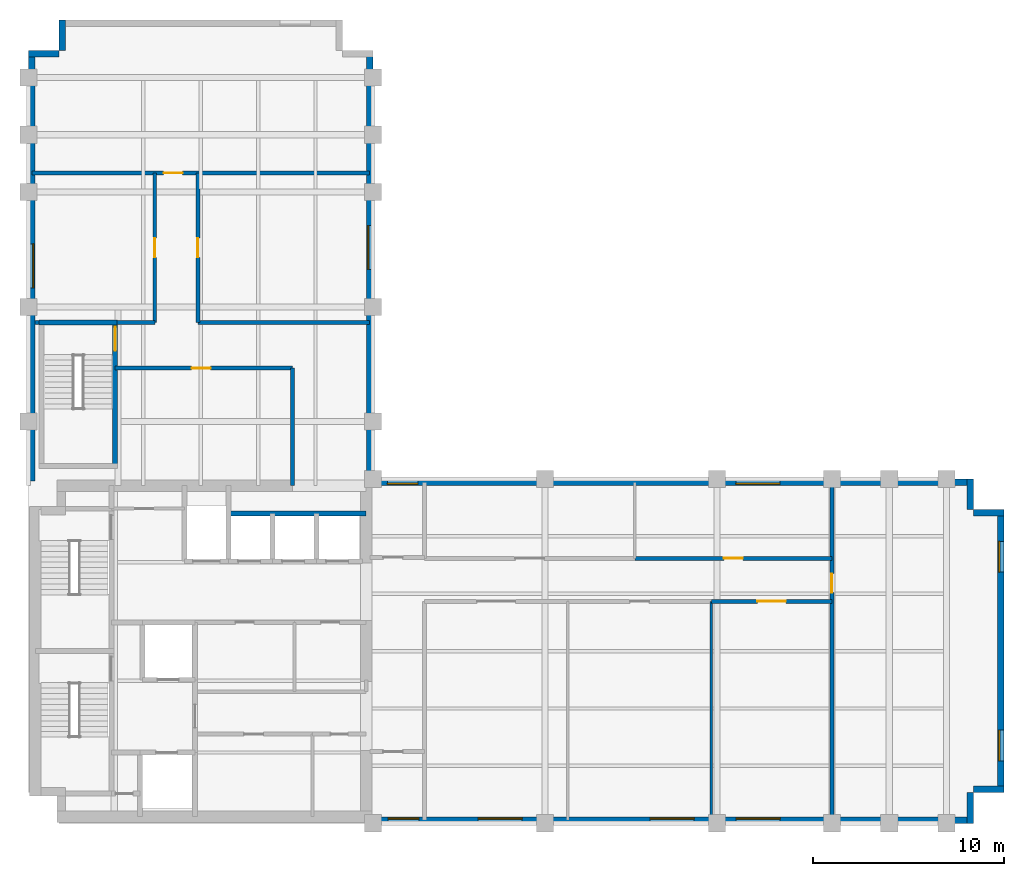
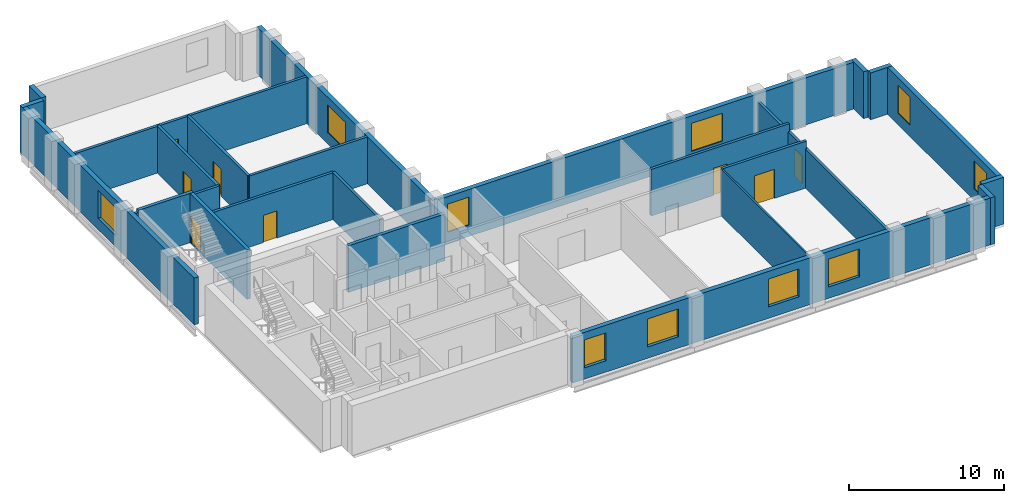
# One storey, part 4 of 6: 26 walls, 10 windows, 8 doors, 18 openings.
"""IFC4 building model written with IfcOpenShell, lengths in metres."""

from ifc_helpers import new_model, si_unit, direction, frame, frame_2d, origin, place, context, subcontext, project, spatial, rectangle, extrude, material, layer, layer_set, type_object, element, fill, save


model = new_model("IFC4")

# Units and contexts
model_context = context("Model", 3, precision=1e-05, world=origin(), true_north=direction((0.0, 1.0)))
body_context = subcontext(model_context, "Body", "Model", "MODEL_VIEW")
ifc_project = project(units=[si_unit("LENGTHUNIT", "METRE"), si_unit("AREAUNIT", "SQUARE_METRE"), si_unit("VOLUMEUNIT", "CUBIC_METRE"), si_unit("PLANEANGLEUNIT", "RADIAN"), si_unit("MASSUNIT", "GRAM", prefix="KILO")], contexts=[model_context])

# Site, building, storey
site_placement = place(None, origin())
site = spatial("IfcSite", under=ifc_project, at=site_placement, CompositionType="ELEMENT")
building_placement = place(site_placement, origin())
building = spatial("IfcBuilding", under=site, at=building_placement, Name="Mawjdan Bourse Tower", CompositionType="ELEMENT")
storey_placement = place(building_placement, frame((0.0, 0.0, 187.800048828125)))
storey = spatial("IfcBuildingStorey", under=building, at=storey_placement, Name="L45", CompositionType="ELEMENT", Elevation=187.800048828125)

# Wall, openings, windows
ifc_material_1 = material(Name="Brick Masonry Buff", Category="masonry")
ifc_layer_1 = layer(ifc_material_1, 0.340087890625)
ifc_layer_set_1 = layer_set([ifc_layer_1], Name="Brick Masonry Buff")
wall_type_1 = type_object("IfcWallType", Name="WL-BRK-SPN-340", PredefinedType="STANDARD", material=ifc_layer_set_1)
wall_1_placement = place(storey_placement, frame((23.89990234375, 3.169921875, 0.0), z_axis=(0.0, 0.0, 1.0), x_axis=(1.0, 0.0, 0.0)))
wall_1 = element("IfcWall", 1, at=wall_1_placement, inside=storey, type_object=wall_type_1, Name="L45 Exterior Brick Wall 1", PredefinedType="STANDARD", context=body_context, shape_type="SweptSolid", body=[
    extrude(rectangle(XDim=31.5, YDim=0.340087890625, at=frame_2d((15.75, 0.0))), origin(), (0.0, 0.0, 1.0), 3.699951171875),
])
opening_1_placement = place(wall_1_placement, frame((5.60009765625, 0.0, 0.89990234375)))
opening_1 = element("IfcOpeningElement", 2, at=opening_1_placement, cuts=wall_1, Name="Opening W-L45-01", PredefinedType="OPENING", context=body_context, shape_type="SweptSolid", body=[
    extrude(rectangle(XDim=2.300048828125, YDim=2.199951171875, at=frame_2d((1.14990234375, 1.10009765625))), frame((0.0, 0.18017578125, 0.0), z_axis=(0.0, -1.0, 0.0), x_axis=(1.0, 0.0, 0.0)), (0.0, 0.0, 1.0), 0.360107421875),
])
opening_2_placement = place(wall_1_placement, frame((14.60009765625, 0.0, 0.89990234375)))
opening_2 = element("IfcOpeningElement", 3, at=opening_2_placement, cuts=wall_1, Name="Opening W-L45-02", PredefinedType="OPENING", context=body_context, shape_type="SweptSolid", body=[
    extrude(rectangle(XDim=2.300048828125, YDim=2.199951171875, at=frame_2d((1.14990234375, 1.10009765625))), frame((0.0, 0.18017578125, 0.0), z_axis=(0.0, -1.0, 0.0), x_axis=(1.0, 0.0, 0.0)), (0.0, 0.0, 1.0), 0.360107421875),
])
opening_3_placement = place(wall_1_placement, frame((19.10009765625, 0.0, 0.89990234375)))
opening_3 = element("IfcOpeningElement", 4, at=opening_3_placement, cuts=wall_1, Name="Opening W-L45-03", PredefinedType="OPENING", context=body_context, shape_type="SweptSolid", body=[
    extrude(rectangle(XDim=2.300048828125, YDim=2.199951171875, at=frame_2d((1.14990234375, 1.10009765625))), frame((0.0, 0.18017578125, 0.0), z_axis=(0.0, -1.0, 0.0), x_axis=(1.0, 0.0, 0.0)), (0.0, 0.0, 1.0), 0.360107421875),
])
opening_4_placement = place(wall_1_placement, frame((0.89990234375, 0.0, 0.89990234375)))
opening_4 = element("IfcOpeningElement", 5, at=opening_4_placement, cuts=wall_1, Name="Opening W-L45-08", PredefinedType="OPENING", context=body_context, shape_type="SweptSolid", body=[
    extrude(rectangle(XDim=1.60009765625, YDim=2.199951171875, at=frame_2d((0.800048828125, 1.10009765625))), frame((0.0, 0.18017578125, 0.0), z_axis=(0.0, -1.0, 0.0), x_axis=(1.0, 0.0, 0.0)), (0.0, 0.0, 1.0), 0.360107421875),
])
ifc_material_2 = material(Name="Solar-Control Clear Double Glazing", Category="glass")
window_type_1 = type_object("IfcWindowType", Name="WN-Z3-1600", PartitioningType="SINGLE_PANEL", PredefinedType="WINDOW", material=ifc_material_2)
window_1_placement = place(opening_4_placement, origin())
window_1 = element("IfcWindow", 6, at=window_1_placement, inside=storey, type_object=window_type_1, Name="L45 Deep-Set Masonry Window W-L45-08", OverallHeight=2.199951171875, OverallWidth=1.60009765625, PartitioningType="SINGLE_PANEL", PredefinedType="WINDOW", context=body_context, shape_type="SweptSolid", body=[
    extrude(rectangle(XDim=1.60009765625, YDim=2.199951171875, at=frame_2d((0.800048828125, 1.10009765625))), frame((0.0, 0.110107421875, 0.0), z_axis=(0.0, -1.0, 0.0), x_axis=(1.0, 0.0, 0.0)), (0.0, 0.0, 1.0), 0.06005859375),
])
fill(opening_4, window_1)
window_type_2 = type_object("IfcWindowType", Name="WN-Z3-2300", PartitioningType="SINGLE_PANEL", PredefinedType="WINDOW", material=ifc_material_2)
window_2_placement = place(opening_1_placement, origin())
window_2 = element("IfcWindow", 7, at=window_2_placement, inside=storey, type_object=window_type_2, Name="L45 Deep-Set Masonry Window W-L45-01", OverallHeight=2.199951171875, OverallWidth=2.300048828125, PartitioningType="SINGLE_PANEL", PredefinedType="WINDOW", context=body_context, shape_type="SweptSolid", body=[
    extrude(rectangle(XDim=2.300048828125, YDim=2.199951171875, at=frame_2d((1.14990234375, 1.10009765625))), frame((0.0, 0.110107421875, 0.0), z_axis=(0.0, -1.0, 0.0), x_axis=(1.0, 0.0, 0.0)), (0.0, 0.0, 1.0), 0.06005859375),
])
fill(opening_1, window_2)
window_3_placement = place(opening_2_placement, origin())
window_3 = element("IfcWindow", 8, at=window_3_placement, inside=storey, type_object=window_type_2, Name="L45 Deep-Set Masonry Window W-L45-02", OverallHeight=2.199951171875, OverallWidth=2.300048828125, PartitioningType="SINGLE_PANEL", PredefinedType="WINDOW", context=body_context, shape_type="SweptSolid", body=[
    extrude(rectangle(XDim=2.300048828125, YDim=2.199951171875, at=frame_2d((1.14990234375, 1.10009765625))), frame((0.0, 0.110107421875, 0.0), z_axis=(0.0, -1.0, 0.0), x_axis=(1.0, 0.0, 0.0)), (0.0, 0.0, 1.0), 0.06005859375),
])
fill(opening_2, window_3)
window_4_placement = place(opening_3_placement, origin())
window_4 = element("IfcWindow", 9, at=window_4_placement, inside=storey, type_object=window_type_2, Name="L45 Deep-Set Masonry Window W-L45-03", OverallHeight=2.199951171875, OverallWidth=2.300048828125, PartitioningType="SINGLE_PANEL", PredefinedType="WINDOW", context=body_context, shape_type="SweptSolid", body=[
    extrude(rectangle(XDim=2.300048828125, YDim=2.199951171875, at=frame_2d((1.14990234375, 1.10009765625))), frame((0.0, 0.110107421875, 0.0), z_axis=(0.0, -1.0, 0.0), x_axis=(1.0, 0.0, 0.0)), (0.0, 0.0, 1.0), 0.06005859375),
])
fill(opening_3, window_4)

# Walls
for number, where, z_axis, x_axis, name in (
    (10, (55.22998046875, 3.0, 0.0), (0.0, 0.0, 1.0), (0.0, 1.0, 0.0), "L45 Exterior Brick Wall 2"),
    (11, (55.39990234375, 4.77001953125, 0.0), (0.0, 0.0, 1.0), (1.0, 0.0, 0.0), "L45 Exterior Brick Wall 3"),
):
    element("IfcWall", number, at=place(storey_placement, frame(where, z_axis=z_axis, x_axis=x_axis)), inside=storey, type_object=wall_type_1, Name=name, PredefinedType="STANDARD", context=body_context, shape_type="SweptSolid", body=[
        extrude(rectangle(XDim=1.60009765625, YDim=0.340087890625, at=frame_2d((0.800048828125, 0.0))), origin(), (0.0, 0.0, 1.0), 3.699951171875),
    ])

# Wall, openings, windows
wall_2_placement = place(storey_placement, frame((56.830078125, 4.60009765625, 0.0), z_axis=(0.0, 0.0, 1.0), x_axis=(0.0, 1.0, 0.0)))
wall_2 = element("IfcWall", 12, at=wall_2_placement, inside=storey, type_object=wall_type_1, Name="L45 Exterior Brick Wall 4", PredefinedType="STANDARD", context=body_context, shape_type="SweptSolid", body=[
    extrude(rectangle(XDim=14.7998046875, YDim=0.340087890625, at=frame_2d((7.39990234375, 0.0))), origin(), (0.0, 0.0, 1.0), 3.699951171875),
])
opening_5_placement = place(wall_2_placement, frame((1.666748046875, 0.0, 0.89990234375)))
opening_5 = element("IfcOpeningElement", 13, at=opening_5_placement, cuts=wall_2, Name="Opening W-L45-04", PredefinedType="OPENING", context=body_context, shape_type="SweptSolid", body=[
    extrude(rectangle(XDim=1.60009765625, YDim=2.199951171875, at=frame_2d((0.800048828125, 1.10009765625))), frame((0.0, 0.18017578125, 0.0), z_axis=(0.0, -1.0, 0.0), x_axis=(1.0, 0.0, 0.0)), (0.0, 0.0, 1.0), 0.360107421875),
])
opening_6_placement = place(wall_2_placement, frame((11.533203125, 0.0, 0.89990234375)))
opening_6 = element("IfcOpeningElement", 14, at=opening_6_placement, cuts=wall_2, Name="Opening W-L45-05", PredefinedType="OPENING", context=body_context, shape_type="SweptSolid", body=[
    extrude(rectangle(XDim=1.60009765625, YDim=2.199951171875, at=frame_2d((0.800048828125, 1.10009765625))), frame((0.0, 0.18017578125, 0.0), z_axis=(0.0, -1.0, 0.0), x_axis=(1.0, 0.0, 0.0)), (0.0, 0.0, 1.0), 0.360107421875),
])
window_5_placement = place(opening_5_placement, origin())
window_5 = element("IfcWindow", 15, at=window_5_placement, inside=storey, type_object=window_type_1, Name="L45 Deep-Set Masonry Window W-L45-04", OverallHeight=2.199951171875, OverallWidth=1.60009765625, PartitioningType="SINGLE_PANEL", PredefinedType="WINDOW", context=body_context, shape_type="SweptSolid", body=[
    extrude(rectangle(XDim=1.60009765625, YDim=2.199951171875, at=frame_2d((0.800048828125, 1.10009765625))), frame((0.0, 0.110107421875, 0.0), z_axis=(0.0, -1.0, 0.0), x_axis=(1.0, 0.0, 0.0)), (0.0, 0.0, 1.0), 0.06005859375),
])
fill(opening_5, window_5)
window_6_placement = place(opening_6_placement, origin())
window_6 = element("IfcWindow", 16, at=window_6_placement, inside=storey, type_object=window_type_1, Name="L45 Deep-Set Masonry Window W-L45-05", OverallHeight=2.199951171875, OverallWidth=1.60009765625, PartitioningType="SINGLE_PANEL", PredefinedType="WINDOW", context=body_context, shape_type="SweptSolid", body=[
    extrude(rectangle(XDim=1.60009765625, YDim=2.199951171875, at=frame_2d((0.800048828125, 1.10009765625))), frame((0.0, 0.110107421875, 0.0), z_axis=(0.0, -1.0, 0.0), x_axis=(1.0, 0.0, 0.0)), (0.0, 0.0, 1.0), 0.06005859375),
])
fill(opening_6, window_6)

# Walls
for number, where, z_axis, x_axis, name in (
    (17, (57.0, 19.22998046875, 0.0), (0.0, 0.0, 1.0), (-1.0, 0.0, 0.0), "L45 Exterior Brick Wall 5"),
    (18, (55.22998046875, 19.39990234375, 0.0), (0.0, 0.0, 1.0), (0.0, 1.0, 0.0), "L45 Exterior Brick Wall 6"),
):
    element("IfcWall", number, at=place(storey_placement, frame(where, z_axis=z_axis, x_axis=x_axis)), inside=storey, type_object=wall_type_1, Name=name, PredefinedType="STANDARD", context=body_context, shape_type="SweptSolid", body=[
        extrude(rectangle(XDim=1.60009765625, YDim=0.340087890625, at=frame_2d((0.800048828125, 0.0))), origin(), (0.0, 0.0, 1.0), 3.699951171875),
    ])

# Wall, openings, windows
wall_3_placement = place(storey_placement, frame((55.39990234375, 20.830078125, 0.0), z_axis=(0.0, 0.0, 1.0), x_axis=(-1.0, 0.0, 0.0)))
wall_3 = element("IfcWall", 19, at=wall_3_placement, inside=storey, type_object=wall_type_1, Name="L45 Exterior Brick Wall 7", PredefinedType="STANDARD", context=body_context, shape_type="SweptSolid", body=[
    extrude(rectangle(XDim=31.39990234375, YDim=0.340087890625, at=frame_2d((15.699951171875, 0.0))), origin(), (0.0, 0.0, 1.0), 3.699951171875),
])
opening_7_placement = place(wall_3_placement, frame((29.0458984375, 0.0, 0.89990234375)))
opening_7 = element("IfcOpeningElement", 20, at=opening_7_placement, cuts=wall_3, Name="Opening W-L45-09", PredefinedType="OPENING", context=body_context, shape_type="SweptSolid", body=[
    extrude(rectangle(XDim=1.60009765625, YDim=2.199951171875, at=frame_2d((0.800048828125, 1.10009765625))), frame((0.0, 0.18017578125, 0.0), z_axis=(0.0, -1.0, 0.0), x_axis=(1.0, 0.0, 0.0)), (0.0, 0.0, 1.0), 0.360107421875),
])
opening_8_placement = place(wall_3_placement, frame((10.124755859375, 0.0, 0.89990234375)))
opening_8 = element("IfcOpeningElement", 21, at=opening_8_placement, cuts=wall_3, Name="Opening W-L45-10", PredefinedType="OPENING", context=body_context, shape_type="SweptSolid", body=[
    extrude(rectangle(XDim=2.300048828125, YDim=2.199951171875, at=frame_2d((1.14990234375, 1.10009765625))), frame((0.0, 0.18017578125, 0.0), z_axis=(0.0, -1.0, 0.0), x_axis=(1.0, 0.0, 0.0)), (0.0, 0.0, 1.0), 0.360107421875),
])
window_7_placement = place(opening_7_placement, origin())
window_7 = element("IfcWindow", 22, at=window_7_placement, inside=storey, type_object=window_type_1, Name="L45 Deep-Set Masonry Window W-L45-09", OverallHeight=2.199951171875, OverallWidth=1.60009765625, PartitioningType="SINGLE_PANEL", PredefinedType="WINDOW", context=body_context, shape_type="SweptSolid", body=[
    extrude(rectangle(XDim=1.60009765625, YDim=2.199951171875, at=frame_2d((0.800048828125, 1.10009765625))), frame((0.0, 0.110107421875, 0.0), z_axis=(0.0, -1.0, 0.0), x_axis=(1.0, 0.0, 0.0)), (0.0, 0.0, 1.0), 0.06005859375),
])
fill(opening_7, window_7)
window_8_placement = place(opening_8_placement, origin())
window_8 = element("IfcWindow", 23, at=window_8_placement, inside=storey, type_object=window_type_2, Name="L45 Deep-Set Masonry Window W-L45-10", OverallHeight=2.199951171875, OverallWidth=2.300048828125, PartitioningType="SINGLE_PANEL", PredefinedType="WINDOW", context=body_context, shape_type="SweptSolid", body=[
    extrude(rectangle(XDim=2.300048828125, YDim=2.199951171875, at=frame_2d((1.14990234375, 1.10009765625))), frame((0.0, 0.110107421875, 0.0), z_axis=(0.0, -1.0, 0.0), x_axis=(1.0, 0.0, 0.0)), (0.0, 0.0, 1.0), 0.06005859375),
])
fill(opening_8, window_8)

# Wall, opening, window
wall_4_placement = place(storey_placement, frame((23.830078125, 21.0, 0.0), z_axis=(0.0, 0.0, 1.0), x_axis=(0.0, 1.0, 0.0)))
wall_4 = element("IfcWall", 24, at=wall_4_placement, inside=storey, type_object=wall_type_1, Name="L45 Exterior Brick Wall 8", PredefinedType="STANDARD", context=body_context, shape_type="SweptSolid", body=[
    extrude(rectangle(XDim=22.39990234375, YDim=0.340087890625, at=frame_2d((11.199951171875, 0.0))), origin(), (0.0, 0.0, 1.0), 3.699951171875),
])
opening_9_placement = place(wall_4_placement, frame((10.954833984375, 0.0, 0.89990234375)))
opening_9 = element("IfcOpeningElement", 25, at=opening_9_placement, cuts=wall_4, Name="Opening W-L45-11", PredefinedType="OPENING", context=body_context, shape_type="SweptSolid", body=[
    extrude(rectangle(XDim=2.300048828125, YDim=2.199951171875, at=frame_2d((1.14990234375, 1.10009765625))), frame((0.0, 0.18017578125, 0.0), z_axis=(0.0, -1.0, 0.0), x_axis=(1.0, 0.0, 0.0)), (0.0, 0.0, 1.0), 0.360107421875),
])
window_9_placement = place(opening_9_placement, origin())
window_9 = element("IfcWindow", 26, at=window_9_placement, inside=storey, type_object=window_type_2, Name="L45 Deep-Set Masonry Window W-L45-11", OverallHeight=2.199951171875, OverallWidth=2.300048828125, PartitioningType="SINGLE_PANEL", PredefinedType="WINDOW", context=body_context, shape_type="SweptSolid", body=[
    extrude(rectangle(XDim=2.300048828125, YDim=2.199951171875, at=frame_2d((1.14990234375, 1.10009765625))), frame((0.0, 0.110107421875, 0.0), z_axis=(0.0, -1.0, 0.0), x_axis=(1.0, 0.0, 0.0)), (0.0, 0.0, 1.0), 0.06005859375),
])
fill(opening_9, window_9)

# Walls
for number, where, z_axis, x_axis, name in (
    (27, (7.77001953125, 45.0, 0.0), (0.0, 0.0, 1.0), (0.0, -1.0, 0.0), "L45 Exterior Brick Wall 12"),
    (28, (7.60009765625, 43.22998046875, 0.0), (0.0, 0.0, 1.0), (-1.0, 0.0, 0.0), "L45 Exterior Brick Wall 13"),
):
    element("IfcWall", number, at=place(storey_placement, frame(where, z_axis=z_axis, x_axis=x_axis)), inside=storey, type_object=wall_type_1, Name=name, PredefinedType="STANDARD", context=body_context, shape_type="SweptSolid", body=[
        extrude(rectangle(XDim=1.60009765625, YDim=0.340087890625, at=frame_2d((0.800048828125, 0.0))), origin(), (0.0, 0.0, 1.0), 3.699951171875),
    ])

# Wall, opening, window
wall_5_placement = place(storey_placement, frame((6.169921875, 43.39990234375, 0.0), z_axis=(0.0, 0.0, 1.0), x_axis=(0.0, -1.0, 0.0)))
wall_5 = element("IfcWall", 29, at=wall_5_placement, inside=storey, type_object=wall_type_1, Name="L45 Exterior Brick Wall 14", PredefinedType="STANDARD", context=body_context, shape_type="SweptSolid", body=[
    extrude(rectangle(XDim=22.5, YDim=0.340087890625, at=frame_2d((11.25, 0.0))), origin(), (0.0, 0.0, 1.0), 3.699951171875),
])
opening_10_placement = place(wall_5_placement, frame((10.10009765625, 0.0, 0.89990234375)))
opening_10 = element("IfcOpeningElement", 30, at=opening_10_placement, cuts=wall_5, Name="Opening W-L45-07", PredefinedType="OPENING", context=body_context, shape_type="SweptSolid", body=[
    extrude(rectangle(XDim=2.300048828125, YDim=2.199951171875, at=frame_2d((1.14990234375, 1.10009765625))), frame((0.0, 0.18017578125, 0.0), z_axis=(0.0, -1.0, 0.0), x_axis=(1.0, 0.0, 0.0)), (0.0, 0.0, 1.0), 0.360107421875),
])
window_10_placement = place(opening_10_placement, origin())
window_10 = element("IfcWindow", 31, at=window_10_placement, inside=storey, type_object=window_type_2, Name="L45 Deep-Set Masonry Window W-L45-07", OverallHeight=2.199951171875, OverallWidth=2.300048828125, PartitioningType="SINGLE_PANEL", PredefinedType="WINDOW", context=body_context, shape_type="SweptSolid", body=[
    extrude(rectangle(XDim=2.300048828125, YDim=2.199951171875, at=frame_2d((1.14990234375, 1.10009765625))), frame((0.0, 0.110107421875, 0.0), z_axis=(0.0, -1.0, 0.0), x_axis=(1.0, 0.0, 0.0)), (0.0, 0.0, 1.0), 0.06005859375),
])
fill(opening_10, window_10)

# Wall, opening, door
ifc_material_3 = material(Name="Gypsum Fireboard Assembly")
ifc_layer_2 = layer(ifc_material_3, 0.199951171875)
ifc_layer_set_2 = layer_set([ifc_layer_2], Name="Gypsum Fireboard Assembly")
wall_type_2 = type_object("IfcWallType", Name="WL-CMP-200", PredefinedType="PARTITIONING", material=ifc_layer_set_2)
wall_6_placement = place(storey_placement, frame((41.699951171875, 14.60009765625, 0.0), z_axis=(0.0, 0.0, 1.0), x_axis=(1.0, 0.0, 0.0)))
wall_6 = element("IfcWall", 32, at=wall_6_placement, inside=storey, type_object=wall_type_2, Name="L45 Conference Room Corridor Wall", PredefinedType="PARTITIONING", context=body_context, shape_type="SweptSolid", body=[
    extrude(rectangle(XDim=6.300048828125, YDim=0.199951171875, at=frame_2d((3.14990234375, 0.0))), origin(), (0.0, 0.0, 1.0), 3.68994140625),
])
opening_11_placement = place(wall_6_placement, frame((2.39990234375, 0.0, 0.0)))
opening_11 = element("IfcOpeningElement", 33, at=opening_11_placement, cuts=wall_6, Name="Opening D-L45-23", PredefinedType="OPENING", context=body_context, shape_type="SweptSolid", body=[
    extrude(rectangle(XDim=1.5, YDim=2.300048828125, at=frame_2d((0.75, 1.14990234375))), frame((0.0, 0.10986328125, 0.0), z_axis=(0.0, -1.0, 0.0), x_axis=(1.0, 0.0, 0.0)), (0.0, 0.0, 1.0), 0.219970703125),
])
ifc_material_4 = material(Name="Acoustic Glazed Timber", Category="wood")
door_type_1 = type_object("IfcDoorType", Name="DR-CNF-1500", OperationType="DOUBLE_DOOR_SINGLE_SWING", PredefinedType="DOOR", material=ifc_material_4)
door_1_placement = place(opening_11_placement, origin())
door_1 = element("IfcDoor", 34, at=door_1_placement, inside=storey, type_object=door_type_1, Name="L45 Conference Room Door D-L45-23", OperationType="DOUBLE_DOOR_SINGLE_SWING", OverallHeight=2.300048828125, OverallWidth=1.5, PredefinedType="DOOR", context=body_context, shape_type="SweptSolid", body=[
    extrude(rectangle(XDim=1.5, YDim=2.300048828125, at=frame_2d((0.75, 1.14990234375))), frame((0.0, 0.02490234375, 0.0), z_axis=(0.0, -1.0, 0.0), x_axis=(1.0, 0.0, 0.0)), (0.0, 0.0, 1.0), 0.050048828125),
])
fill(opening_11, door_1)

wall_7_placement = place(storey_placement, frame((37.699951171875, 16.85009765625, 0.0), z_axis=(0.0, 0.0, 1.0), x_axis=(1.0, 0.0, 0.0)))
wall_7 = element("IfcWall", 35, at=wall_7_placement, inside=storey, type_object=wall_type_2, Name="L45 Legal Counsel Library Corridor Wall", PredefinedType="PARTITIONING", context=body_context, shape_type="SweptSolid", body=[
    extrude(rectangle(XDim=10.300048828125, YDim=0.199951171875, at=frame_2d((5.14990234375, 0.0))), origin(), (0.0, 0.0, 1.0), 3.68994140625),
])
opening_12_placement = place(wall_7_placement, frame((4.64990234375, 0.0, 0.0)))
opening_12 = element("IfcOpeningElement", 36, at=opening_12_placement, cuts=wall_7, Name="Opening D-L45-25", PredefinedType="OPENING", context=body_context, shape_type="SweptSolid", body=[
    extrude(rectangle(XDim=1.0, YDim=2.14990234375, at=frame_2d((0.5, 1.074951171875))), frame((0.0, 0.10986328125, 0.0), z_axis=(0.0, -1.0, 0.0), x_axis=(1.0, 0.0, 0.0)), (0.0, 0.0, 1.0), 0.219970703125),
])
ifc_material_5 = material(Name="Hardwood Acoustic Leaf", Category="wood")
door_type_2 = type_object("IfcDoorType", Name="DR-OFC-1000", OperationType="NOTDEFINED", PredefinedType="DOOR", material=ifc_material_5)
door_2_placement = place(opening_12_placement, origin())
door_2 = element("IfcDoor", 37, at=door_2_placement, inside=storey, type_object=door_type_2, Name="L45 Legal Counsel Library Door D-L45-25", OperationType="SINGLE_SWING_LEFT", OverallHeight=2.14990234375, OverallWidth=1.0, PredefinedType="DOOR", context=body_context, shape_type="SweptSolid", body=[
    extrude(rectangle(XDim=1.0, YDim=2.14990234375, at=frame_2d((0.5, 1.074951171875))), frame((0.0, 0.02490234375, 0.0), z_axis=(0.0, -1.0, 0.0), x_axis=(1.0, 0.0, 0.0)), (0.0, 0.0, 1.0), 0.050048828125),
])
fill(opening_12, door_2)

wall_8_placement = place(storey_placement, frame((48.0, 3.179931640625, 0.0), z_axis=(0.0, 0.0, 1.0), x_axis=(0.0, 1.0, 0.0)))
wall_8 = element("IfcWall", 38, at=wall_8_placement, inside=storey, type_object=wall_type_2, Name="L45 East Tip Full Cross Wall", PredefinedType="PARTITIONING", context=body_context, shape_type="SweptSolid", body=[
    extrude(rectangle(XDim=17.64013671875, YDim=0.199951171875, at=frame_2d((8.820068359375, 0.0))), origin(), (0.0, 0.0, 1.0), 3.072998046875),
])
opening_13_placement = place(wall_8_placement, frame((11.875, 0.0, 0.0)))
opening_13 = element("IfcOpeningElement", 39, at=opening_13_placement, cuts=wall_8, Name="Opening D-L45-26", PredefinedType="OPENING", context=body_context, shape_type="SweptSolid", body=[
    extrude(rectangle(XDim=1.0, YDim=2.14990234375, at=frame_2d((0.5, 1.074951171875))), frame((0.0, 0.10986328125, 0.0), z_axis=(0.0, -1.0, 0.0), x_axis=(1.0, 0.0, 0.0)), (0.0, 0.0, 1.0), 0.219970703125),
])
door_3_placement = place(opening_13_placement, origin())
door_3 = element("IfcDoor", 40, at=door_3_placement, inside=storey, type_object=door_type_2, Name="L45 East Tip Hall Door D-L45-26", OperationType="SINGLE_SWING_RIGHT", OverallHeight=2.14990234375, OverallWidth=1.0, PredefinedType="DOOR", context=body_context, shape_type="SweptSolid", body=[
    extrude(rectangle(XDim=1.0, YDim=2.14990234375, at=frame_2d((0.5, 1.074951171875))), frame((0.0, 0.02490234375, 0.0), z_axis=(0.0, -1.0, 0.0), x_axis=(1.0, 0.0, 0.0)), (0.0, 0.0, 1.0), 0.050048828125),
])
fill(opening_13, door_3)

wall_9_placement = place(storey_placement, frame((10.52001953125, 26.800048828125, 0.0), z_axis=(0.0, 0.0, 1.0), x_axis=(1.0, 0.0, 0.0)))
wall_9 = element("IfcWall", 41, at=wall_9_placement, inside=storey, type_object=wall_type_2, Name="L45 North Throat North Wall", PredefinedType="PARTITIONING", context=body_context, shape_type="SweptSolid", body=[
    extrude(rectangle(XDim=9.280029296875, YDim=0.199951171875, at=frame_2d((4.64013671875, 0.0))), origin(), (0.0, 0.0, 1.0), 3.68994140625),
])
opening_14_placement = place(wall_9_placement, frame((4.0, 0.0, 0.0)))
opening_14 = element("IfcOpeningElement", 42, at=opening_14_placement, cuts=wall_9, Name="Opening D-L45-27", PredefinedType="OPENING", context=body_context, shape_type="SweptSolid", body=[
    extrude(rectangle(XDim=1.0, YDim=2.14990234375, at=frame_2d((0.5, 1.074951171875))), frame((0.0, 0.10986328125, 0.0), z_axis=(0.0, -1.0, 0.0), x_axis=(1.0, 0.0, 0.0)), (0.0, 0.0, 1.0), 0.219970703125),
])
door_4_placement = place(opening_14_placement, origin())
door_4 = element("IfcDoor", 43, at=door_4_placement, inside=storey, type_object=door_type_2, Name="L45 North Throat Suite Door D-L45-27", OperationType="SINGLE_SWING_LEFT", OverallHeight=2.14990234375, OverallWidth=1.0, PredefinedType="DOOR", context=body_context, shape_type="SweptSolid", body=[
    extrude(rectangle(XDim=1.0, YDim=2.14990234375, at=frame_2d((0.5, 1.074951171875))), frame((0.0, 0.02490234375, 0.0), z_axis=(0.0, -1.0, 0.0), x_axis=(1.0, 0.0, 0.0)), (0.0, 0.0, 1.0), 0.050048828125),
])
fill(opening_14, door_4)

# Walls
wall_10_placement = place(storey_placement, frame((19.800048828125, 20.64990234375, 0.0), z_axis=(0.0, 0.0, 1.0), x_axis=(0.0, 1.0, 0.0)))
element("IfcWall", 44, at=wall_10_placement, inside=storey, type_object=wall_type_2, Name="L45 North Throat East Wall", PredefinedType="PARTITIONING", context=body_context, shape_type="SweptSolid", body=[
    extrude(rectangle(XDim=6.150146484375, YDim=0.199951171875, at=frame_2d((3.0751953125, 0.0))), origin(), (0.0, 0.0, 1.0), 3.68994140625),
])
wall_11_placement = place(storey_placement, frame((6.340087890625, 29.179931640625, 0.0), z_axis=(0.0, 0.0, 1.0), x_axis=(1.0, 0.0, 0.0)))
element("IfcWall", 45, at=wall_11_placement, inside=storey, type_object=wall_type_2, Name="L45 North West Band ST3 West Return", PredefinedType="PARTITIONING", context=body_context, shape_type="SweptSolid", body=[
    extrude(rectangle(XDim=0.21484375, YDim=0.199951171875, at=frame_2d((0.107421875, 0.0))), origin(), (0.0, 0.0, 1.0), 3.68994140625),
])
wall_12_placement = place(storey_placement, frame((10.6298828125, 29.179931640625, 0.0), z_axis=(0.0, 0.0, 1.0), x_axis=(1.0, 0.0, 0.0)))
element("IfcWall", 46, at=wall_12_placement, inside=storey, type_object=wall_type_2, Name="L45 North West Band South Wall", PredefinedType="PARTITIONING", context=body_context, shape_type="SweptSolid", body=[
    extrude(rectangle(XDim=1.97021484375, YDim=0.199951171875, at=frame_2d((0.985107421875, 0.0))), origin(), (0.0, 0.0, 1.0), 3.68994140625),
])
wall_13_placement = place(storey_placement, frame((14.85009765625, 29.179931640625, 0.0), z_axis=(0.0, 0.0, 1.0), x_axis=(1.0, 0.0, 0.0)))
element("IfcWall", 47, at=wall_13_placement, inside=storey, type_object=wall_type_2, Name="L45 North East Band South Wall", PredefinedType="PARTITIONING", context=body_context, shape_type="SweptSolid", body=[
    extrude(rectangle(XDim=8.969970703125, YDim=0.199951171875, at=frame_2d((4.48486328125, 0.0))), origin(), (0.0, 0.0, 1.0), 3.68994140625),
])

# Wall, opening, door
wall_14_placement = place(storey_placement, frame((12.60009765625, 29.179931640625, 0.0), z_axis=(0.0, 0.0, 1.0), x_axis=(0.0, 1.0, 0.0)))
wall_14 = element("IfcWall", 48, at=wall_14_placement, inside=storey, type_object=wall_type_2, Name="L45 Executive Office Corridor Wall", PredefinedType="PARTITIONING", context=body_context, shape_type="SweptSolid", body=[
    extrude(rectangle(XDim=7.820068359375, YDim=0.199951171875, at=frame_2d((3.91015625, 0.0))), origin(), (0.0, 0.0, 1.0), 3.68994140625),
])
opening_15_placement = place(wall_14_placement, frame((3.409912109375, 0.0, 0.0)))
opening_15 = element("IfcOpeningElement", 49, at=opening_15_placement, cuts=wall_14, Name="Opening D-L45-28", PredefinedType="OPENING", context=body_context, shape_type="SweptSolid", body=[
    extrude(rectangle(XDim=1.0, YDim=2.14990234375, at=frame_2d((0.5, 1.074951171875))), frame((0.0, 0.10986328125, 0.0), z_axis=(0.0, -1.0, 0.0), x_axis=(1.0, 0.0, 0.0)), (0.0, 0.0, 1.0), 0.219970703125),
])
door_5_placement = place(opening_15_placement, origin())
door_5 = element("IfcDoor", 50, at=door_5_placement, inside=storey, type_object=door_type_2, Name="L45 Executive Office Door D-L45-28", OperationType="SINGLE_SWING_RIGHT", OverallHeight=2.14990234375, OverallWidth=1.0, PredefinedType="DOOR", context=body_context, shape_type="SweptSolid", body=[
    extrude(rectangle(XDim=1.0, YDim=2.14990234375, at=frame_2d((0.5, 1.074951171875))), frame((0.0, 0.02490234375, 0.0), z_axis=(0.0, -1.0, 0.0), x_axis=(1.0, 0.0, 0.0)), (0.0, 0.0, 1.0), 0.050048828125),
])
fill(opening_15, door_5)

wall_15_placement = place(storey_placement, frame((14.85009765625, 29.179931640625, 0.0), z_axis=(0.0, 0.0, 1.0), x_axis=(0.0, 1.0, 0.0)))
wall_15 = element("IfcWall", 51, at=wall_15_placement, inside=storey, type_object=wall_type_2, Name="L45 Legal Counsel Library Corridor Wall", PredefinedType="PARTITIONING", context=body_context, shape_type="SweptSolid", body=[
    extrude(rectangle(XDim=7.820068359375, YDim=0.199951171875, at=frame_2d((3.91015625, 0.0))), origin(), (0.0, 0.0, 1.0), 3.68994140625),
])
opening_16_placement = place(wall_15_placement, frame((3.409912109375, 0.0, 0.0)))
opening_16 = element("IfcOpeningElement", 52, at=opening_16_placement, cuts=wall_15, Name="Opening D-L45-29", PredefinedType="OPENING", context=body_context, shape_type="SweptSolid", body=[
    extrude(rectangle(XDim=1.0, YDim=2.14990234375, at=frame_2d((0.5, 1.074951171875))), frame((0.0, 0.10986328125, 0.0), z_axis=(0.0, -1.0, 0.0), x_axis=(1.0, 0.0, 0.0)), (0.0, 0.0, 1.0), 0.219970703125),
])
door_6_placement = place(opening_16_placement, origin())
door_6 = element("IfcDoor", 53, at=door_6_placement, inside=storey, type_object=door_type_2, Name="L45 Legal Counsel Library Door D-L45-29", OperationType="SINGLE_SWING_LEFT", OverallHeight=2.14990234375, OverallWidth=1.0, PredefinedType="DOOR", context=body_context, shape_type="SweptSolid", body=[
    extrude(rectangle(XDim=1.0, YDim=2.14990234375, at=frame_2d((0.5, 1.074951171875))), frame((0.0, 0.02490234375, 0.0), z_axis=(0.0, -1.0, 0.0), x_axis=(1.0, 0.0, 0.0)), (0.0, 0.0, 1.0), 0.050048828125),
])
fill(opening_16, door_6)

wall_16_placement = place(storey_placement, frame((6.179931640625, 37.0, 0.0), z_axis=(0.0, 0.0, 1.0), x_axis=(1.0, 0.0, 0.0)))
wall_16 = element("IfcWall", 54, at=wall_16_placement, inside=storey, type_object=wall_type_2, Name="L45 North Tip Full Cross Wall", PredefinedType="PARTITIONING", context=body_context, shape_type="SweptSolid", body=[
    extrude(rectangle(XDim=17.64013671875, YDim=0.199951171875, at=frame_2d((8.820068359375, 0.0))), origin(), (0.0, 0.0, 1.0), 3.68994140625),
])
opening_17_placement = place(wall_16_placement, frame((6.875, 0.0, 0.0)))
opening_17 = element("IfcOpeningElement", 55, at=opening_17_placement, cuts=wall_16, Name="Opening D-L45-30", PredefinedType="OPENING", context=body_context, shape_type="SweptSolid", body=[
    extrude(rectangle(XDim=1.0, YDim=2.14990234375, at=frame_2d((0.5, 1.074951171875))), frame((0.0, 0.10986328125, 0.0), z_axis=(0.0, -1.0, 0.0), x_axis=(1.0, 0.0, 0.0)), (0.0, 0.0, 1.0), 0.219970703125),
])
door_7_placement = place(opening_17_placement, origin())
door_7 = element("IfcDoor", 56, at=door_7_placement, inside=storey, type_object=door_type_2, Name="L45 North Tip Suite Door D-L45-30", OperationType="SINGLE_SWING_RIGHT", OverallHeight=2.14990234375, OverallWidth=1.0, PredefinedType="DOOR", context=body_context, shape_type="SweptSolid", body=[
    extrude(rectangle(XDim=1.0, YDim=2.14990234375, at=frame_2d((0.5, 1.074951171875))), frame((0.0, 0.02490234375, 0.0), z_axis=(0.0, -1.0, 0.0), x_axis=(1.0, 0.0, 0.0)), (0.0, 0.0, 1.0), 0.050048828125),
])
fill(opening_17, door_7)

# Walls
ifc_material_6 = material(Name="Gypsum Partition")
ifc_layer_3 = layer(ifc_material_6, 0.125)
ifc_layer_set_3 = layer_set([ifc_layer_3], Name="Gypsum Partition")
wall_type_3 = type_object("IfcWallType", Name="WL-PRT-125", PredefinedType="PARTITIONING", material=ifc_layer_set_3)
wall_17_placement = place(storey_placement, frame((41.699951171875, 3.179931640625, 0.0), z_axis=(0.0, 0.0, 1.0), x_axis=(0.0, 1.0, 0.0)))
element("IfcWall", 57, at=wall_17_placement, inside=storey, type_object=wall_type_3, Name="L45 Conference Room Partition", PredefinedType="PARTITIONING", context=body_context, shape_type="SweptSolid", body=[
    extrude(rectangle(XDim=11.420166015625, YDim=0.125, at=frame_2d((5.7099609375, 0.0))), origin(), (0.0, 0.0, 1.0), 3.68994140625),
])
ifc_material_7 = material(Name="Concrete C50/60", Category="concrete")
ifc_layer_4 = layer(ifc_material_7, 0.25)
ifc_layer_set_4 = layer_set([ifc_layer_4], Name="Concrete C50/60")
wall_type_4 = type_object("IfcWallType", Name="WL-SHFT-250", PredefinedType="PARTITIONING", material=ifc_layer_set_4)
wall_18_placement = place(storey_placement, frame((16.449951171875, 19.199951171875, 0.0), z_axis=(0.0, 0.0, 1.0), x_axis=(1.0, 0.0, 0.0)))
element("IfcWall", 58, at=wall_18_placement, inside=storey, type_object=wall_type_4, Name="L45 PH Bank North Shaft Back Wall", PredefinedType="PARTITIONING", context=body_context, shape_type="SweptSolid", body=[
    extrude(rectangle(XDim=7.199951171875, YDim=0.25, at=frame_2d((3.60009765625, 0.0))), origin(), (0.0, 0.0, 1.0), 3.68994140625),
])
ifc_layer_5 = layer(ifc_material_7, 0.25)
ifc_layer_set_5 = layer_set([ifc_layer_5], Name="Concrete C50/60")
wall_type_5 = type_object("IfcWallType", Name="WL-STRW-250", PredefinedType="SHEAR", material=ifc_layer_set_5)
wall_19_placement = place(storey_placement, frame((6.554931640625, 29.179931640625, 0.0), z_axis=(0.0, 0.0, 1.0), x_axis=(1.0, 0.0, 0.0)))
element("IfcWall", 59, at=wall_19_placement, inside=storey, type_object=wall_type_5, Name="L45 ST3 North Shaft Wall", PredefinedType="SHEAR", context=body_context, shape_type="SweptSolid", body=[
    extrude(rectangle(XDim=4.090087890625, YDim=0.25, at=frame_2d((2.044921875, 0.0))), origin(), (0.0, 0.0, 1.0), 3.89990234375),
])

# Wall, opening, door
wall_20_placement = place(storey_placement, frame((10.52001953125, 21.679931640625, 0.0), z_axis=(0.0, 0.0, 1.0), x_axis=(0.0, 1.0, 0.0)))
wall_20 = element("IfcWall", 60, at=wall_20_placement, inside=storey, type_object=wall_type_5, Name="L45 ST3 East Shaft Wall", PredefinedType="SHEAR", context=body_context, shape_type="SweptSolid", body=[
    extrude(rectangle(XDim=7.5, YDim=0.25, at=frame_2d((3.75, 0.0))), origin(), (0.0, 0.0, 1.0), 3.89990234375),
])
opening_18_placement = place(wall_20_placement, frame((6.02001953125, 0.0, 0.0)))
opening_18 = element("IfcOpeningElement", 61, at=opening_18_placement, cuts=wall_20, Name="Opening SD-L45-18", PredefinedType="OPENING", context=body_context, shape_type="SweptSolid", body=[
    extrude(rectangle(XDim=1.25, YDim=2.199951171875, at=frame_2d((0.625, 1.10009765625))), frame((0.0, 0.135009765625, 0.0), z_axis=(0.0, -1.0, 0.0), x_axis=(1.0, 0.0, 0.0)), (0.0, 0.0, 1.0), 0.27001953125),
])
ifc_material_8 = material(Name="Fire-Rated Steel Leaf", Category="steel")
door_type_3 = type_object("IfcDoorType", Name="FD-ST-1250", OperationType="NOTDEFINED", PredefinedType="DOOR", material=ifc_material_8)
door_8_placement = place(opening_18_placement, origin())
door_8 = element("IfcDoor", 62, at=door_8_placement, inside=storey, type_object=door_type_3, Name="L45 Stair ST3 Fire Door SD-L45-18", OperationType="SINGLE_SWING_LEFT", OverallHeight=2.199951171875, OverallWidth=1.25, PredefinedType="DOOR", context=body_context, shape_type="SweptSolid", body=[
    extrude(rectangle(XDim=1.25, YDim=2.199951171875, at=frame_2d((0.625, 1.10009765625))), frame((0.0, 0.02490234375, 0.0), z_axis=(0.0, -1.0, 0.0), x_axis=(1.0, 0.0, 0.0)), (0.0, 0.0, 1.0), 0.050048828125),
])
fill(opening_18, door_8)

save(model, "model.ifc")
